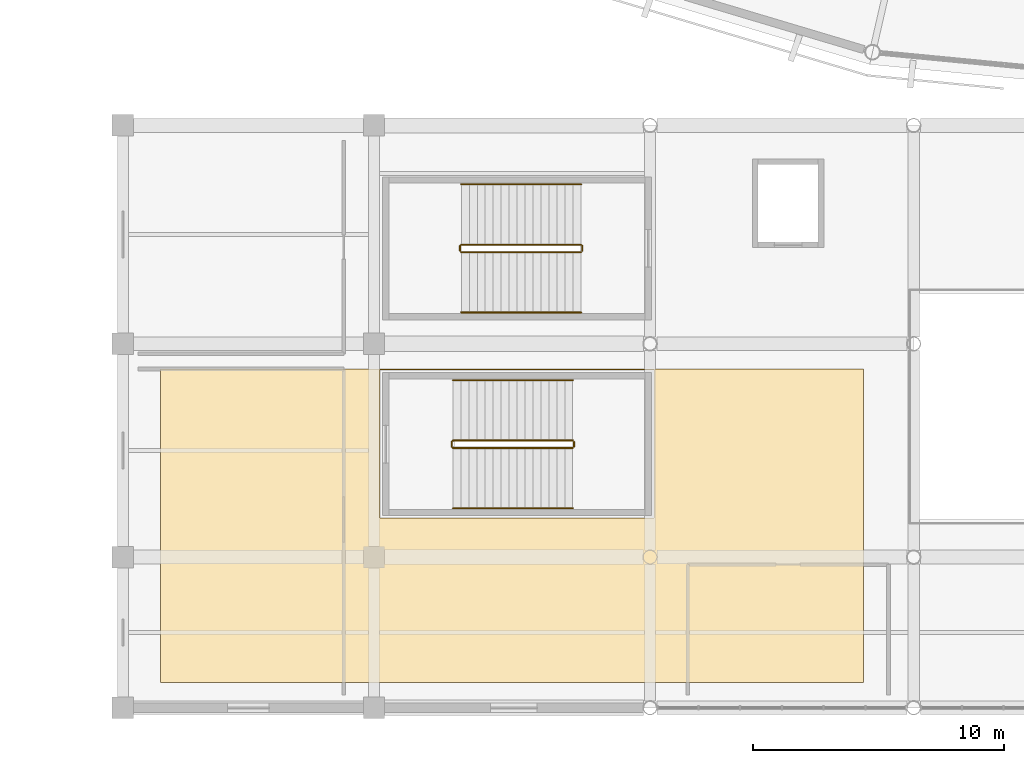
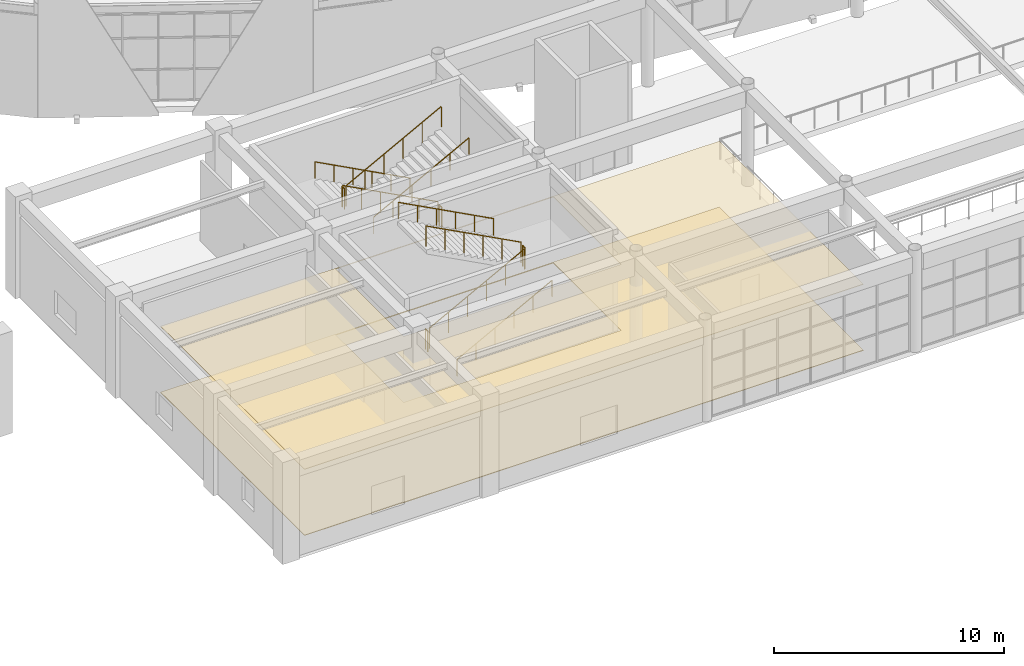
# One storey, part 92 of 120: 12 railings, 2 coverings.
"""IFC4 building model written with IfcOpenShell, lengths in metres."""

from ifc_helpers import new_model, si_unit, direction, frame, origin, origin_2d, place, context, subcontext, project, spatial, polyline, circle, outline, extrude, material, layer, layer_set, type_object, element, save


model = new_model("IFC4")

# Units and contexts
model_context = context("Model", 3, precision=1e-05, world=origin(), true_north=direction((0.0, 1.0)))
body_context = subcontext(model_context, "Body", "Model", "MODEL_VIEW")
ifc_project = project(units=[si_unit("LENGTHUNIT", "METRE"), si_unit("AREAUNIT", "SQUARE_METRE"), si_unit("VOLUMEUNIT", "CUBIC_METRE"), si_unit("PLANEANGLEUNIT", "RADIAN"), si_unit("MASSUNIT", "GRAM", prefix="KILO")], contexts=[model_context])

# Site, building, storey
site_placement = place(None, origin())
site = spatial("IfcSite", under=ifc_project, at=site_placement, CompositionType="ELEMENT")
building_placement = place(site_placement, origin())
building = spatial("IfcBuilding", under=site, at=building_placement, Name="Cuetzalor Civic Arena", CompositionType="ELEMENT")
storey_placement = place(building_placement, frame((0.0, 0.0, 6.0)))
storey = spatial("IfcBuildingStorey", under=building, at=storey_placement, Name="L01", CompositionType="ELEMENT", Elevation=6.0)

# Covering
ifc_material_1 = material(Name="Perforated acoustic mineral ceiling board", Category="gypsum")
ifc_layer_1 = layer(ifc_material_1, 0.02490234375)
ifc_layer_set_1 = layer_set([ifc_layer_1], Name="Perforated acoustic mineral ceiling board")
covering_type_1 = type_object("IfcCoveringType", Name="AcousticMineralCeiling_25", PredefinedType="CEILING", material=ifc_layer_set_1)
covering_1_placement = place(storey_placement, frame((0.0, 0.0, 3.5)))
element("IfcCovering", 1, at=covering_1_placement, inside=storey, type_object=covering_type_1, Name="Civic Gallery West Acoustic Ceiling", PredefinedType="CEILING", context=body_context, shape_type="SweptSolid", body=[
    extrude(outline(polyline([(-40.5, -58.0), (-12.5, -58.0), (-12.5, -70.5), (-40.5, -70.5), (-40.5, -58.0)]), holes=[polyline([(-20.85009765625, -63.949951171875), (-20.85009765625, -58.050048828125), (-31.75, -58.050048828125), (-31.75, -63.949951171875), (-20.85009765625, -63.949951171875)])]), origin(), (0.0, 0.0, 1.0), 0.02490234375),
])

# Railings
ifc_material_2 = material(Name="Reseda-green architectural Steel S355 balustrade", Category="steel")
railing_type_1 = type_object("IfcRailingType", Name="InteriorVoidBalustrade_1100", PredefinedType="BALUSTRADE", material=ifc_material_2)
railing_1_placement = place(storey_placement, frame((-28.85009765625, -61.14990234375, 0.168701171875)))
element("IfcRailing", 2, at=railing_1_placement, inside=storey, type_object=railing_type_1, Name="L01 ST-09 stair guard 1", PredefinedType="BALUSTRADE", context=body_context, shape_type="SweptSolid", body=[
    extrude(circle(Radius=0.02392578125, at=origin_2d()), frame((0.0, 0.0, 1.0810546875), z_axis=(0.883332211103, 0.0, 0.468747485143), x_axis=(0.0, 1.0, 0.0)), (0.0, 0.0, 1.0), 5.400146484375),
    extrude(circle(Radius=0.02099609375, at=origin_2d()), origin(), (0.0, 0.0, 1.0), 1.056884765625),
    extrude(circle(Radius=0.02099609375, at=origin_2d()), frame((0.9541015625, 0.0, 0.50634765625)), (0.0, 0.0, 1.0), 1.056884765625),
    extrude(circle(Radius=0.02099609375, at=origin_2d()), frame((1.907958984375, 0.0, 1.012451171875)), (0.0, 0.0, 1.0), 1.056884765625),
    extrude(circle(Radius=0.02099609375, at=origin_2d()), frame((2.862060546875, 0.0, 1.518798828125)), (0.0, 0.0, 1.0), 1.056884765625),
    extrude(circle(Radius=0.02099609375, at=origin_2d()), frame((3.81591796875, 0.0, 2.02490234375)), (0.0, 0.0, 1.0), 1.056884765625),
    extrude(circle(Radius=0.02099609375, at=origin_2d()), frame((4.77001953125, 0.0, 2.53125)), (0.0, 0.0, 1.0), 1.056884765625),
])
railing_2_placement = place(storey_placement, frame((-24.030029296875, -61.10009765625, 2.699951171875)))
element("IfcRailing", 3, at=railing_2_placement, inside=storey, type_object=railing_type_1, Name="L01 ST-09 stair guard 2", PredefinedType="BALUSTRADE", context=body_context, shape_type="SweptSolid", body=[
    extrude(circle(Radius=0.02392578125, at=origin_2d()), frame((0.0, 0.0, 1.0810546875), z_axis=(0.0, 1.0, 0.0), x_axis=(-1.0, 0.0, 0.0)), (0.0, 0.0, 1.0), 0.2001953125),
    extrude(circle(Radius=0.02099609375, at=origin_2d()), origin(), (0.0, 0.0, 1.0), 1.056884765625),
    extrude(circle(Radius=0.02099609375, at=origin_2d()), frame((0.0, 0.2001953125, 0.0)), (0.0, 0.0, 1.0), 1.056884765625),
])
railing_3_placement = place(storey_placement, frame((-24.080078125, -60.85009765625, 2.86865234375)))
element("IfcRailing", 4, at=railing_3_placement, inside=storey, type_object=railing_type_1, Name="L01 ST-09 stair guard 3", PredefinedType="BALUSTRADE", context=body_context, shape_type="SweptSolid", body=[
    extrude(circle(Radius=0.02392578125, at=origin_2d()), frame((0.0, 0.0, 1.0810546875), z_axis=(-0.883332211103, 0.0, 0.468747485143), x_axis=(0.0, -1.0, 0.0)), (0.0, 0.0, 1.0), 5.400146484375),
    extrude(circle(Radius=0.02099609375, at=origin_2d()), origin(), (0.0, 0.0, 1.0), 1.056884765625),
    extrude(circle(Radius=0.02099609375, at=origin_2d()), frame((-0.9541015625, 0.0, 0.50634765625)), (0.0, 0.0, 1.0), 1.056884765625),
    extrude(circle(Radius=0.02099609375, at=origin_2d()), frame((-1.907958984375, 0.0, 1.012451171875)), (0.0, 0.0, 1.0), 1.056884765625),
    extrude(circle(Radius=0.02099609375, at=origin_2d()), frame((-2.862060546875, 0.0, 1.518798828125)), (0.0, 0.0, 1.0), 1.056884765625),
    extrude(circle(Radius=0.02099609375, at=origin_2d()), frame((-3.81591796875, 0.0, 2.02490234375)), (0.0, 0.0, 1.0), 1.056884765625),
    extrude(circle(Radius=0.02099609375, at=origin_2d()), frame((-4.77001953125, 0.0, 2.53125)), (0.0, 0.0, 1.0), 1.056884765625),
])
railing_4_placement = place(storey_placement, frame((-28.89990234375, -61.10009765625, 0.0)))
element("IfcRailing", 5, at=railing_4_placement, inside=storey, type_object=railing_type_1, Name="L01 ST-09 stair guard 4", PredefinedType="BALUSTRADE", context=body_context, shape_type="SweptSolid", body=[
    extrude(circle(Radius=0.02392578125, at=origin_2d()), frame((0.0, 0.0, 1.0810546875), z_axis=(0.0, 1.0, 0.0), x_axis=(-1.0, 0.0, 0.0)), (0.0, 0.0, 1.0), 0.2001953125),
    extrude(circle(Radius=0.02099609375, at=origin_2d()), origin(), (0.0, 0.0, 1.0), 1.056884765625),
    extrude(circle(Radius=0.02099609375, at=origin_2d()), frame((0.0, 0.2001953125, 0.0)), (0.0, 0.0, 1.0), 1.056884765625),
])
railing_5_placement = place(storey_placement, frame((-23.75, -53.050048828125, 0.168701171875)))
element("IfcRailing", 6, at=railing_5_placement, inside=storey, type_object=railing_type_1, Name="L01 ST-10 stair guard 1", PredefinedType="BALUSTRADE", context=body_context, shape_type="SweptSolid", body=[
    extrude(circle(Radius=0.02392578125, at=origin_2d()), frame((0.0, 0.0, 1.0810546875), z_axis=(-0.883332211103, 0.0, 0.468747485143), x_axis=(0.0, -1.0, 0.0)), (0.0, 0.0, 1.0), 5.400146484375),
    extrude(circle(Radius=0.02099609375, at=origin_2d()), origin(), (0.0, 0.0, 1.0), 1.056884765625),
    extrude(circle(Radius=0.02099609375, at=origin_2d()), frame((-0.9541015625, 0.0, 0.50634765625)), (0.0, 0.0, 1.0), 1.056884765625),
    extrude(circle(Radius=0.02099609375, at=origin_2d()), frame((-1.907958984375, 0.0, 1.012451171875)), (0.0, 0.0, 1.0), 1.056884765625),
    extrude(circle(Radius=0.02099609375, at=origin_2d()), frame((-2.862060546875, 0.0, 1.518798828125)), (0.0, 0.0, 1.0), 1.056884765625),
    extrude(circle(Radius=0.02099609375, at=origin_2d()), frame((-3.81591796875, 0.0, 2.02490234375)), (0.0, 0.0, 1.0), 1.056884765625),
    extrude(circle(Radius=0.02099609375, at=origin_2d()), frame((-4.77001953125, 0.0, 2.53125)), (0.0, 0.0, 1.0), 1.056884765625),
])
railing_6_placement = place(storey_placement, frame((-28.570068359375, -53.10009765625, 2.699951171875)))
element("IfcRailing", 7, at=railing_6_placement, inside=storey, type_object=railing_type_1, Name="L01 ST-10 stair guard 2", PredefinedType="BALUSTRADE", context=body_context, shape_type="SweptSolid", body=[
    extrude(circle(Radius=0.02392578125, at=origin_2d()), frame((0.0, 0.0, 1.0810546875), z_axis=(0.0, -1.0, 0.0), x_axis=(1.0, 0.0, 0.0)), (0.0, 0.0, 1.0), 0.199951171875),
    extrude(circle(Radius=0.02099609375, at=origin_2d()), origin(), (0.0, 0.0, 1.0), 1.056884765625),
    extrude(circle(Radius=0.02099609375, at=origin_2d()), frame((0.0, -0.199951171875, 0.0)), (0.0, 0.0, 1.0), 1.056884765625),
])
railing_7_placement = place(storey_placement, frame((-28.52001953125, -53.35009765625, 2.86865234375)))
element("IfcRailing", 8, at=railing_7_placement, inside=storey, type_object=railing_type_1, Name="L01 ST-10 stair guard 3", PredefinedType="BALUSTRADE", context=body_context, shape_type="SweptSolid", body=[
    extrude(circle(Radius=0.02392578125, at=origin_2d()), frame((0.0, 0.0, 1.0810546875), z_axis=(0.883332211103, 0.0, 0.468747485143), x_axis=(0.0, 1.0, 0.0)), (0.0, 0.0, 1.0), 5.400146484375),
    extrude(circle(Radius=0.02099609375, at=origin_2d()), origin(), (0.0, 0.0, 1.0), 1.056884765625),
    extrude(circle(Radius=0.02099609375, at=origin_2d()), frame((0.9541015625, 0.0, 0.50634765625)), (0.0, 0.0, 1.0), 1.056884765625),
    extrude(circle(Radius=0.02099609375, at=origin_2d()), frame((1.907958984375, 0.0, 1.012451171875)), (0.0, 0.0, 1.0), 1.056884765625),
    extrude(circle(Radius=0.02099609375, at=origin_2d()), frame((2.862060546875, 0.0, 1.518798828125)), (0.0, 0.0, 1.0), 1.056884765625),
    extrude(circle(Radius=0.02099609375, at=origin_2d()), frame((3.81591796875, 0.0, 2.02490234375)), (0.0, 0.0, 1.0), 1.056884765625),
    extrude(circle(Radius=0.02099609375, at=origin_2d()), frame((4.77001953125, 0.0, 2.53125)), (0.0, 0.0, 1.0), 1.056884765625),
])
railing_8_placement = place(storey_placement, frame((-23.699951171875, -53.10009765625, 0.0)))
element("IfcRailing", 9, at=railing_8_placement, inside=storey, type_object=railing_type_1, Name="L01 ST-10 stair guard 4", PredefinedType="BALUSTRADE", context=body_context, shape_type="SweptSolid", body=[
    extrude(circle(Radius=0.02392578125, at=origin_2d()), frame((0.0, 0.0, 1.0810546875), z_axis=(0.0, -1.0, 0.0), x_axis=(1.0, 0.0, 0.0)), (0.0, 0.0, 1.0), 0.199951171875),
    extrude(circle(Radius=0.02099609375, at=origin_2d()), origin(), (0.0, 0.0, 1.0), 1.056884765625),
    extrude(circle(Radius=0.02099609375, at=origin_2d()), frame((0.0, -0.199951171875, 0.0)), (0.0, 0.0, 1.0), 1.056884765625),
])

# Covering
ifc_material_3 = material(Name="Honed Puebla marble and basalt terrazzo flooring", Category="masonry")
ifc_layer_2 = layer(ifc_material_3, 0.030029296875)
ifc_layer_set_2 = layer_set([ifc_layer_2], Name="Honed Puebla marble and basalt terrazzo flooring")
covering_type_2 = type_object("IfcCoveringType", Name="PoblanoTerrazzoFlooring_30", PredefinedType="FLOORING", material=ifc_layer_set_2)
covering_2_placement = place(storey_placement, origin())
element("IfcCovering", 10, at=covering_2_placement, inside=storey, type_object=covering_type_2, Name="Civic Gallery West Terrazzo", PredefinedType="FLOORING", context=body_context, shape_type="SweptSolid", body=[
    extrude(outline(polyline([(-40.5, -58.0), (-12.5, -58.0), (-12.5, -70.5), (-40.5, -70.5), (-40.5, -58.0)]), holes=[polyline([(-20.85009765625, -63.949951171875), (-20.85009765625, -58.050048828125), (-31.75, -58.050048828125), (-31.75, -63.949951171875), (-20.85009765625, -63.949951171875)])]), origin(), (0.0, 0.0, 1.0), 0.030029296875),
])

# Railings
ifc_material_4 = material(Name="Galvanised steel S355", Category="steel")
railing_type_2 = type_object("IfcRailingType", Name="StairPitchHandrail_900", PredefinedType="HANDRAIL", material=ifc_material_4)
railing_9_placement = place(storey_placement, frame((-28.85009765625, -63.550048828125, 0.168701171875)))
element("IfcRailing", 11, at=railing_9_placement, inside=storey, type_object=railing_type_2, Name="L01 ST-09 stair handrail 1", PredefinedType="HANDRAIL", context=body_context, shape_type="SweptSolid", body=[
    extrude(circle(Radius=0.02392578125, at=origin_2d()), frame((0.0, 0.0, 0.8759765625), z_axis=(0.883332211103, 0.0, 0.468747485143), x_axis=(0.0, 1.0, 0.0)), (0.0, 0.0, 1.0), 5.400146484375),
    extrude(circle(Radius=0.02099609375, at=origin_2d()), origin(), (0.0, 0.0, 1.0), 0.851806640625),
    extrude(circle(Radius=0.02099609375, at=origin_2d()), frame((0.9541015625, 0.0, 0.50634765625)), (0.0, 0.0, 1.0), 0.851806640625),
    extrude(circle(Radius=0.02099609375, at=origin_2d()), frame((1.907958984375, 0.0, 1.012451171875)), (0.0, 0.0, 1.0), 0.851806640625),
    extrude(circle(Radius=0.02099609375, at=origin_2d()), frame((2.862060546875, 0.0, 1.518798828125)), (0.0, 0.0, 1.0), 0.851806640625),
    extrude(circle(Radius=0.02099609375, at=origin_2d()), frame((3.81591796875, 0.0, 2.02490234375)), (0.0, 0.0, 1.0), 0.851806640625),
    extrude(circle(Radius=0.02099609375, at=origin_2d()), frame((4.77001953125, 0.0, 2.53125)), (0.0, 0.0, 1.0), 0.851806640625),
])
for number, where, name in (
    (12, (-24.080078125, -58.449951171875, 2.86865234375), "L01 ST-09 stair handrail 2"),
    (13, (-23.75, -50.64990234375, 0.168701171875), "L01 ST-10 stair handrail 1"),
):
    element("IfcRailing", number, at=place(storey_placement, frame(where)), inside=storey, type_object=railing_type_2, Name=name, PredefinedType="HANDRAIL", context=body_context, shape_type="SweptSolid", body=[
        extrude(circle(Radius=0.02392578125, at=origin_2d()), frame((0.0, 0.0, 0.8759765625), z_axis=(-0.883332211103, 0.0, 0.468747485143), x_axis=(0.0, -1.0, 0.0)), (0.0, 0.0, 1.0), 5.400146484375),
        extrude(circle(Radius=0.02099609375, at=origin_2d()), origin(), (0.0, 0.0, 1.0), 0.851806640625),
        extrude(circle(Radius=0.02099609375, at=origin_2d()), frame((-0.9541015625, 0.0, 0.50634765625)), (0.0, 0.0, 1.0), 0.851806640625),
        extrude(circle(Radius=0.02099609375, at=origin_2d()), frame((-1.907958984375, 0.0, 1.012451171875)), (0.0, 0.0, 1.0), 0.851806640625),
        extrude(circle(Radius=0.02099609375, at=origin_2d()), frame((-2.862060546875, 0.0, 1.518798828125)), (0.0, 0.0, 1.0), 0.851806640625),
        extrude(circle(Radius=0.02099609375, at=origin_2d()), frame((-3.81591796875, 0.0, 2.02490234375)), (0.0, 0.0, 1.0), 0.851806640625),
        extrude(circle(Radius=0.02099609375, at=origin_2d()), frame((-4.77001953125, 0.0, 2.53125)), (0.0, 0.0, 1.0), 0.851806640625),
    ])
railing_10_placement = place(storey_placement, frame((-28.52001953125, -55.75, 2.86865234375)))
element("IfcRailing", 14, at=railing_10_placement, inside=storey, type_object=railing_type_2, Name="L01 ST-10 stair handrail 2", PredefinedType="HANDRAIL", context=body_context, shape_type="SweptSolid", body=[
    extrude(circle(Radius=0.02392578125, at=origin_2d()), frame((0.0, 0.0, 0.8759765625), z_axis=(0.883332211103, 0.0, 0.468747485143), x_axis=(0.0, 1.0, 0.0)), (0.0, 0.0, 1.0), 5.400146484375),
    extrude(circle(Radius=0.02099609375, at=origin_2d()), origin(), (0.0, 0.0, 1.0), 0.851806640625),
    extrude(circle(Radius=0.02099609375, at=origin_2d()), frame((0.9541015625, 0.0, 0.50634765625)), (0.0, 0.0, 1.0), 0.851806640625),
    extrude(circle(Radius=0.02099609375, at=origin_2d()), frame((1.907958984375, 0.0, 1.012451171875)), (0.0, 0.0, 1.0), 0.851806640625),
    extrude(circle(Radius=0.02099609375, at=origin_2d()), frame((2.862060546875, 0.0, 1.518798828125)), (0.0, 0.0, 1.0), 0.851806640625),
    extrude(circle(Radius=0.02099609375, at=origin_2d()), frame((3.81591796875, 0.0, 2.02490234375)), (0.0, 0.0, 1.0), 0.851806640625),
    extrude(circle(Radius=0.02099609375, at=origin_2d()), frame((4.77001953125, 0.0, 2.53125)), (0.0, 0.0, 1.0), 0.851806640625),
])

save(model, "model.ifc")
